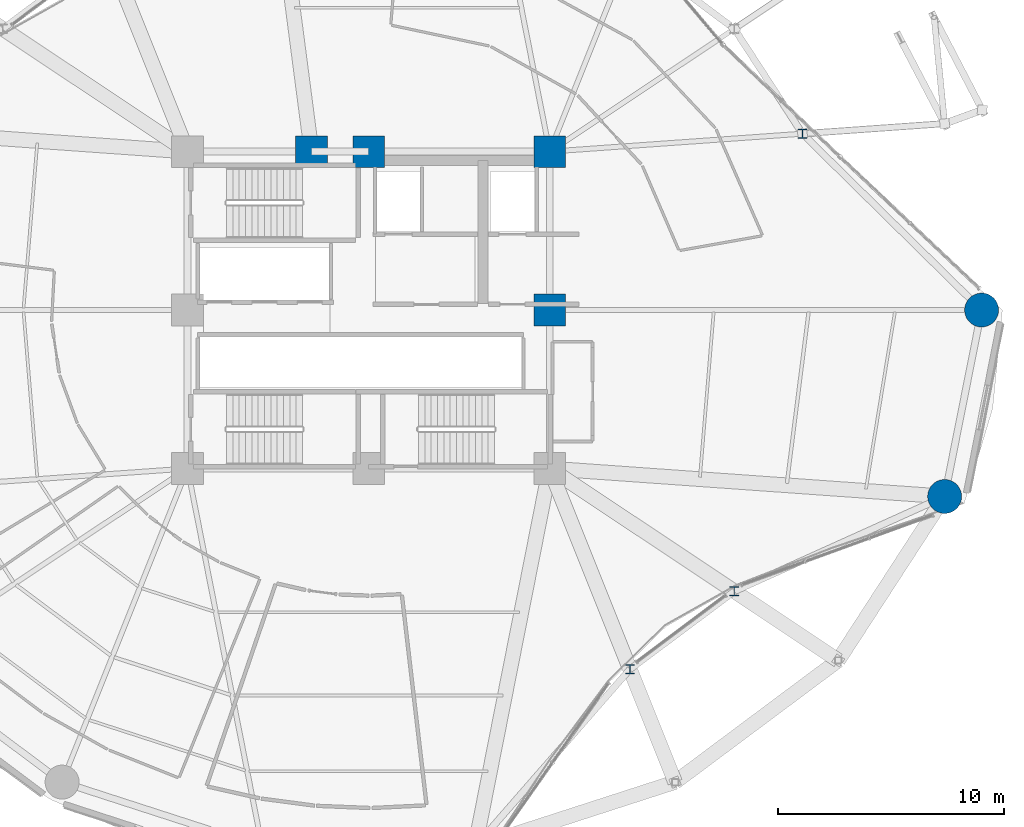
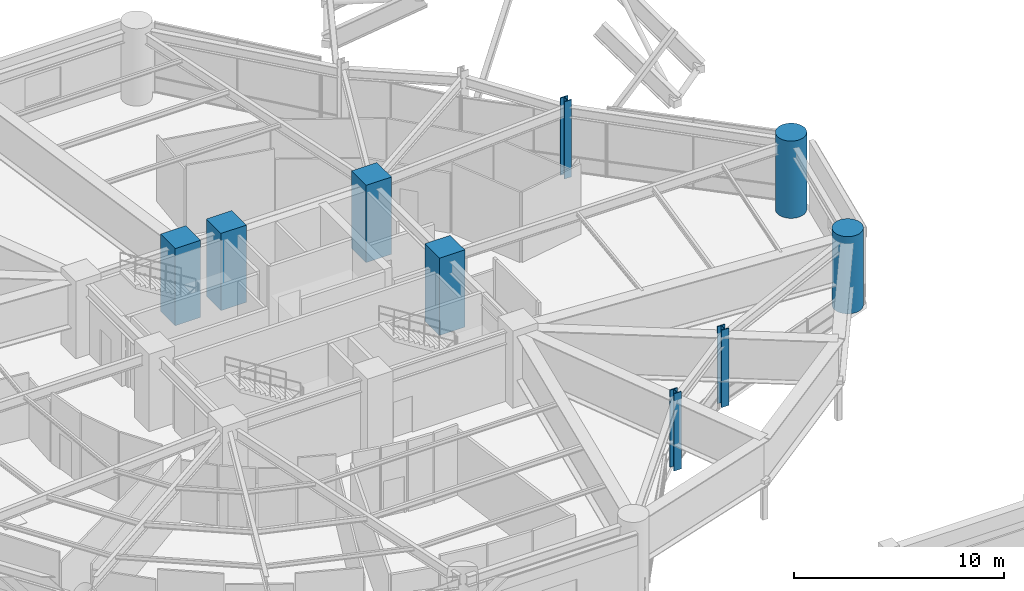
# One storey, part 2 of 53: 9 columns.
"""IFC4 building model written with IfcOpenShell, lengths in metres."""

from ifc_helpers import new_model, si_unit, direction, frame, origin, origin_2d, place, context, subcontext, project, spatial, rectangle, circle, i_section, extrude, material, material_profile, profile_set, type_object, element, save


model = new_model("IFC4")

# Units and contexts
model_context = context("Model", 3, precision=1e-05, world=origin(), true_north=direction((0.0, 1.0)))
body_context = subcontext(model_context, "Body", "Model", "MODEL_VIEW")
ifc_project = project(units=[si_unit("LENGTHUNIT", "METRE"), si_unit("AREAUNIT", "SQUARE_METRE"), si_unit("VOLUMEUNIT", "CUBIC_METRE"), si_unit("PLANEANGLEUNIT", "RADIAN"), si_unit("MASSUNIT", "GRAM", prefix="KILO")], contexts=[model_context])

# Site, building, storey
site_placement = place(None, origin())
site = spatial("IfcSite", under=ifc_project, at=site_placement, CompositionType="ELEMENT")
building_placement = place(site_placement, origin())
building = spatial("IfcBuilding", under=site, at=building_placement, Name="Kelanora Arch Commons", CompositionType="ELEMENT")
storey_placement = place(building_placement, frame((0.0, 0.0, 9.0)))
storey = spatial("IfcBuildingStorey", under=building, at=storey_placement, Name="L02", CompositionType="ELEMENT", Elevation=9.0)

# Columns
ifc_material_1 = material(Name="Concrete C60/75", Category="concrete")
ifc_material_profile_1 = material_profile(ifc_material_1, circle(Radius=0.75, at=origin_2d()), Name="RCC1500")
ifc_profile_set_1 = profile_set([ifc_material_profile_1], Name="Concrete C60/75")
column_type_1 = type_object("IfcColumnType", Name="COL-PERIM-Z1", PredefinedType="COLUMN", material=ifc_profile_set_1)
for number, where, z_axis, x_axis, name in (
    (1, (101.080078125, 58.0, 0.0), (0.0, 0.0, 1.0), (1.0, 0.0, 0.0), "Perimeter Ring Column CP-00 L02"),
    (2, (99.447021484375, 49.76416015625, 0.0), (0.0, 0.0, 1.0), (1.0, 0.0, 0.0), "Perimeter Ring Column CP-34 L02"),
):
    element("IfcColumn", number, at=place(storey_placement, frame(where, z_axis=z_axis, x_axis=x_axis)), inside=storey, type_object=column_type_1, Name=name, PredefinedType="COLUMN", context=body_context, shape_type="SweptSolid", body=[
        extrude(circle(Radius=0.75, at=origin_2d()), origin(), (0.0, 0.0, 1.0), 4.5),
    ])
ifc_material_profile_2 = material_profile(ifc_material_1, rectangle(XDim=1.39990234375, YDim=1.39990234375, at=origin_2d()), Name="RC1400x1400")
ifc_profile_set_2 = profile_set([ifc_material_profile_2], Name="Concrete C60/75")
column_type_2 = type_object("IfcColumnType", Name="COL-PIL-LOW", PredefinedType="PILASTER", material=ifc_profile_set_2)
for number, where, z_axis, x_axis, name in (
    (3, (82.0, 58.0, 0.0), (0.0, 0.0, 1.0), (1.0, 0.0, 0.0), "Core Pilaster Column CP4 L02"),
    (4, (82.0, 65.0, 0.0), (0.0, 0.0, 1.0), (1.0, 0.0, 0.0), "Core Pilaster Column CP5 L02"),
    (5, (74.0, 65.0, 0.0), (0.0, 0.0, 1.0), (1.0, 0.0, 0.0), "Core Pilaster Column CP6 L02"),
    (6, (71.47998046875, 65.0, 0.0), (0.0, 0.0, 1.0), (1.0, 0.0, 0.0), "Core Pilaster Column CP9 L02"),
):
    element("IfcColumn", number, at=place(storey_placement, frame(where, z_axis=z_axis, x_axis=x_axis)), inside=storey, type_object=column_type_2, Name=name, PredefinedType="PILASTER", context=body_context, shape_type="SweptSolid", body=[
        extrude(rectangle(XDim=1.39990234375, YDim=1.39990234375, at=origin_2d()), origin(), (0.0, 0.0, 1.0), 4.5),
    ])
ifc_material_2 = material(Name="Steel S355", Category="steel")
ifc_material_profile_3 = material_profile(ifc_material_2, i_section(OverallWidth=0.406005859375, OverallDepth=0.416015625, WebThickness=0.029052734375, FlangeThickness=0.048095703125, FilletRadius=0.014892578125, at=origin_2d()), Name="HD400x382")
ifc_profile_set_3 = profile_set([ifc_material_profile_3], Name="Steel S355")
column_type_3 = type_object("IfcColumnType", Name="COL-PORCH", PredefinedType="COLUMN", material=ifc_profile_set_3)
for number, where, z_axis, x_axis, name in (
    (7, (93.166015625, 65.791015625, 0.0), (0.0, 0.0, 1.0), (1.0, 0.0, 0.0), "Recessed Arch Portal Column CAP-02 L02"),
    (8, (85.545654296875, 42.133544921875, 0.0), (0.0, 0.0, 1.0), (1.0, 0.0, 0.0), "Recessed Courtyard Column CCC-30 L02"),
    (9, (90.156494140625, 45.573974609375, 0.0), (0.0, 0.0, 1.0), (1.0, 0.0, 0.0), "Recessed Courtyard Column CCC-32 L02"),
):
    element("IfcColumn", number, at=place(storey_placement, frame(where, z_axis=z_axis, x_axis=x_axis)), inside=storey, type_object=column_type_3, Name=name, PredefinedType="COLUMN", context=body_context, shape_type="SweptSolid", body=[
        extrude(i_section(OverallWidth=0.406005859375, OverallDepth=0.416015625, WebThickness=0.029052734375, FlangeThickness=0.048095703125, FilletRadius=0.014892578125, at=origin_2d()), origin(), (0.0, 0.0, 1.0), 4.5),
    ])

save(model, "model.ifc")
